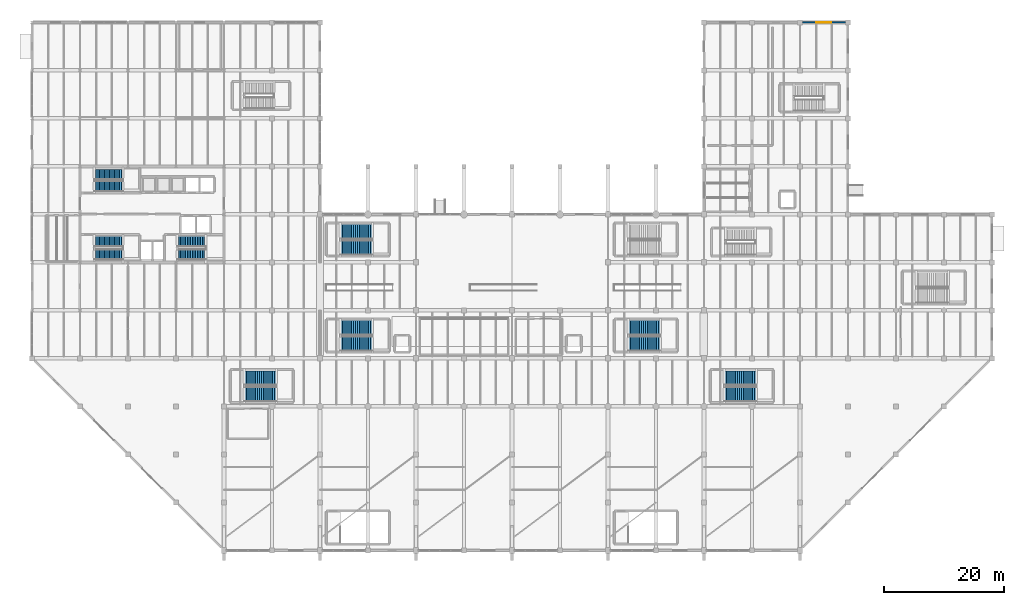
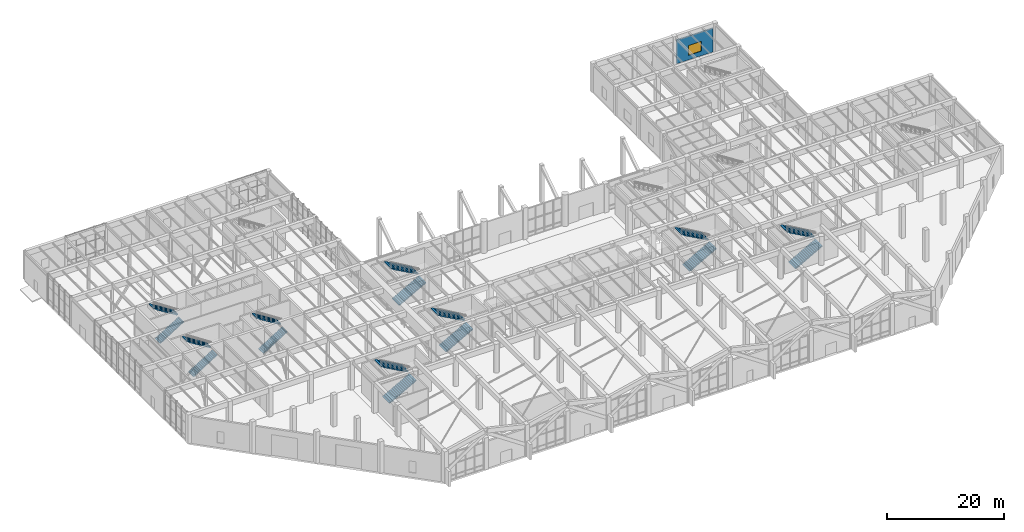
# One storey, part 41 of 51: 16 stair flights, 1 wall, 1 window, 1 opening, 8 elements without a shape of their own.
"""IFC4 building model written with IfcOpenShell, lengths in metres."""

from ifc_helpers import new_model, si_unit, direction, frame, frame_2d, origin, place, context, subcontext, project, spatial, polyline, rectangle, outline, extrude, material, layer, layer_set, type_object, element, fill, aggregate, save


model = new_model("IFC4")

# Units and contexts
model_context = context("Model", 3, precision=1e-05, world=origin(), true_north=direction((0.0, 1.0)))
body_context = subcontext(model_context, "Body", "Model", "MODEL_VIEW")
ifc_project = project(units=[si_unit("LENGTHUNIT", "METRE"), si_unit("AREAUNIT", "SQUARE_METRE"), si_unit("VOLUMEUNIT", "CUBIC_METRE"), si_unit("PLANEANGLEUNIT", "RADIAN"), si_unit("MASSUNIT", "GRAM", prefix="KILO")], contexts=[model_context])

# Site, building, storey
site_placement = place(None, origin())
site = spatial("IfcSite", under=ifc_project, at=site_placement, CompositionType="ELEMENT")
building_placement = place(site_placement, origin())
building = spatial("IfcBuilding", under=site, at=building_placement, Name="Varnela Railside Interchange", CompositionType="ELEMENT")
storey_placement = place(building_placement, origin())
storey = spatial("IfcBuildingStorey", under=building, at=storey_placement, Name="L00", CompositionType="ELEMENT", Elevation=0.0)

# Wall, opening, window
ifc_material_1 = material(Name="Concrete C40 precast", Category="concrete")
ifc_layer = layer(ifc_material_1, 0.260009765625)
ifc_layer_set = layer_set([ifc_layer], Name="Concrete C40 precast")
wall_type = type_object("IfcWallType", Name="Terracotta Precast Study Facade Wall EW-03", PredefinedType="STANDARD", material=ifc_layer_set)
wall_placement = place(storey_placement, frame((132.39990234375, 94.0, 0.0), z_axis=(0.0, 0.0, 1.0), x_axis=(1.0, 0.0, 0.0)))
wall = element("IfcWall", 1, at=wall_placement, inside=storey, type_object=wall_type, Name="Terracotta Precast Study Facade Wall EW-03 (L00) (WL-0361)", PredefinedType="STANDARD", context=body_context, shape_type="SweptSolid", body=[
    extrude(rectangle(XDim=7.2001953125, YDim=0.260009765625, at=frame_2d((3.60009765625, 0.0))), origin(), (0.0, 0.0, 1.0), 4.919921875),
])
opening_placement = place(wall_placement, frame((2.35009765625, 0.0, 0.949951171875)))
opening = element("IfcOpeningElement", 2, at=opening_placement, cuts=wall, Name="Opening W-012", PredefinedType="OPENING", context=body_context, shape_type="SweptSolid", body=[
    extrude(rectangle(XDim=2.5, YDim=2.050048828125, at=frame_2d((1.25, 1.02490234375))), frame((0.0, 0.139892578125, 0.0), z_axis=(0.0, -1.0, 0.0), x_axis=(1.0, 0.0, 0.0)), (0.0, 0.0, 1.0), 0.280029296875),
])
ifc_material_2 = material(Name="Glass laminated double", Category="glass")
window_type = type_object("IfcWindowType", Name="Community Room Bay Window WN-20", PartitioningType="SINGLE_PANEL", PredefinedType="WINDOW", material=ifc_material_2)
window_placement = place(opening_placement, origin())
window = element("IfcWindow", 3, at=window_placement, inside=storey, type_object=window_type, Name="Window W-012", OverallHeight=2.050048828125, OverallWidth=2.5, PartitioningType="SINGLE_PANEL", PredefinedType="WINDOW", context=body_context, shape_type="SweptSolid", body=[
    extrude(rectangle(XDim=2.5, YDim=2.050048828125, at=frame_2d((1.25, 1.02490234375))), frame((0.0, 0.030029296875, 0.0), z_axis=(0.0, -1.0, 0.0), x_axis=(1.0, 0.0, 0.0)), (0.0, 0.0, 1.0), 0.06005859375),
])
fill(opening, window)

# Stair, stair flights
ifc_material_3 = material(Name="Concrete C40", Category="concrete")
stair_type_1 = type_object("IfcStairType", Name="Core Pressurized Stair ST-165", PredefinedType="TWO_STRAIGHT_RUN_STAIR", material=ifc_material_3)
stair_1_placement = place(storey_placement, origin())
stair_1 = element("IfcStair", 4, at=stair_1_placement, inside=storey, type_object=stair_type_1, Name="Stair ST-T1 (L00) (SF-112)", PredefinedType="TWO_STRAIGHT_RUN_STAIR")
stair_flight_type_1 = type_object("IfcStairFlightType", Name="Concrete Stair Flight SF-165", PredefinedType="STRAIGHT", material=ifc_material_3)
stair_flight_1_placement = place(storey_placement, frame((14.39990234375, 55.324951171875, 0.0), z_axis=(0.0, 0.0, 1.0), x_axis=(1.0, 0.0, 0.0)))
stair_flight_1 = element("IfcStairFlight", 5, at=stair_flight_1_placement, type_object=stair_flight_type_1, Name="ST-T1 flight 1 (SF-113)", NumberOfRisers=18, NumberOfTreads=17, PredefinedType="STRAIGHT", RiserHeight=0.175, TreadLength=0.28, context=body_context, shape_type="SweptSolid", body=[
    extrude(outline(polyline([(0.0, 0.0), (0.0, 0.175048828125), (0.280029296875, 0.175048828125), (0.280029296875, 0.35009765625), (0.56005859375, 0.35009765625), (0.56005859375, 0.52490234375), (0.840087890625, 0.52490234375), (0.840087890625, 0.699951171875), (1.1201171875, 0.699951171875), (1.1201171875, 0.875), (1.39990234375, 0.875), (1.39990234375, 1.050048828125), (1.679931640625, 1.050048828125), (1.679931640625, 1.22509765625), (1.9599609375, 1.22509765625), (1.9599609375, 1.39990234375), (2.239990234375, 1.39990234375), (2.239990234375, 1.574951171875), (2.52001953125, 1.574951171875), (2.52001953125, 1.75), (2.800048828125, 1.75), (2.800048828125, 1.925048828125), (3.080078125, 1.925048828125), (3.080078125, 2.10009765625), (3.360107421875, 2.10009765625), (3.360107421875, 2.27490234375), (3.639892578125, 2.27490234375), (3.639892578125, 2.449951171875), (3.919921875, 2.449951171875), (3.919921875, 2.625), (4.199951171875, 2.625), (4.199951171875, 2.800048828125), (4.47998046875, 2.800048828125), (4.47998046875, 2.97509765625), (4.760009765625, 2.97509765625), (4.760009765625, 3.14990234375), (4.760009765625, 2.786376953125), (0.3017578125, 0.0), (0.0, 0.0)])), frame((0.0, 0.824951171875, 0.0), z_axis=(0.0, -1.0, 0.0), x_axis=(1.0, 0.0, 0.0)), (0.0, 0.0, 1.0), 1.64990234375),
])
stair_flight_2_placement = place(storey_placement, frame((19.159912109375, 57.47509765625, 3.14990234375), z_axis=(0.0, 0.0, 1.0), x_axis=(-1.0, 0.0, 0.0)))
stair_flight_2 = element("IfcStairFlight", 6, at=stair_flight_2_placement, type_object=stair_flight_type_1, Name="ST-T1 flight 2 (SF-114)", NumberOfRisers=18, NumberOfTreads=17, PredefinedType="STRAIGHT", RiserHeight=0.175, TreadLength=0.28, context=body_context, shape_type="SweptSolid", body=[
    extrude(outline(polyline([(0.0, 0.0), (0.0, 0.175048828125), (0.280029296875, 0.175048828125), (0.280029296875, 0.35009765625), (0.56005859375, 0.35009765625), (0.56005859375, 0.52490234375), (0.840087890625, 0.52490234375), (0.840087890625, 0.699951171875), (1.1201171875, 0.699951171875), (1.1201171875, 0.875), (1.39990234375, 0.875), (1.39990234375, 1.050048828125), (1.679931640625, 1.050048828125), (1.679931640625, 1.22509765625), (1.9599609375, 1.22509765625), (1.9599609375, 1.39990234375), (2.239990234375, 1.39990234375), (2.239990234375, 1.574951171875), (2.52001953125, 1.574951171875), (2.52001953125, 1.75), (2.800048828125, 1.75), (2.800048828125, 1.925048828125), (3.080078125, 1.925048828125), (3.080078125, 2.10009765625), (3.360107421875, 2.10009765625), (3.360107421875, 2.27490234375), (3.639892578125, 2.27490234375), (3.639892578125, 2.449951171875), (3.919921875, 2.449951171875), (3.919921875, 2.625), (4.199951171875, 2.625), (4.199951171875, 2.800048828125), (4.47998046875, 2.800048828125), (4.47998046875, 2.97509765625), (4.760009765625, 2.97509765625), (4.760009765625, 3.14990234375), (4.760009765625, 2.786376953125), (0.3017578125, 0.0), (0.0, 0.0)])), frame((0.0, 0.824951171875, 0.0), z_axis=(0.0, -1.0, 0.0), x_axis=(1.0, 0.0, 0.0)), (0.0, 0.0, 1.0), 1.64990234375),
])
aggregate(stair_1, [stair_flight_1, stair_flight_2])

stair_2_placement = place(storey_placement, origin())
stair_2 = element("IfcStair", 7, at=stair_2_placement, inside=storey, type_object=stair_type_1, Name="Stair ST-T2 (L00) (SF-115)", PredefinedType="TWO_STRAIGHT_RUN_STAIR")
stair_flight_3_placement = place(storey_placement, frame((28.199951171875, 55.324951171875, 0.0), z_axis=(0.0, 0.0, 1.0), x_axis=(1.0, 0.0, 0.0)))
stair_flight_3 = element("IfcStairFlight", 8, at=stair_flight_3_placement, type_object=stair_flight_type_1, Name="ST-T2 flight 1 (SF-116)", NumberOfRisers=18, NumberOfTreads=17, PredefinedType="STRAIGHT", RiserHeight=0.175, TreadLength=0.28, context=body_context, shape_type="SweptSolid", body=[
    extrude(outline(polyline([(0.0, 0.0), (0.0, 0.175048828125), (0.280029296875, 0.175048828125), (0.280029296875, 0.35009765625), (0.56005859375, 0.35009765625), (0.56005859375, 0.52490234375), (0.840087890625, 0.52490234375), (0.840087890625, 0.699951171875), (1.1201171875, 0.699951171875), (1.1201171875, 0.875), (1.39990234375, 0.875), (1.39990234375, 1.050048828125), (1.679931640625, 1.050048828125), (1.679931640625, 1.22509765625), (1.9599609375, 1.22509765625), (1.9599609375, 1.39990234375), (2.239990234375, 1.39990234375), (2.239990234375, 1.574951171875), (2.52001953125, 1.574951171875), (2.52001953125, 1.75), (2.800048828125, 1.75), (2.800048828125, 1.925048828125), (3.080078125, 1.925048828125), (3.080078125, 2.10009765625), (3.360107421875, 2.10009765625), (3.360107421875, 2.27490234375), (3.639892578125, 2.27490234375), (3.639892578125, 2.449951171875), (3.919921875, 2.449951171875), (3.919921875, 2.625), (4.199951171875, 2.625), (4.199951171875, 2.800048828125), (4.47998046875, 2.800048828125), (4.47998046875, 2.97509765625), (4.760009765625, 2.97509765625), (4.760009765625, 3.14990234375), (4.760009765625, 2.786376953125), (0.3017578125, 0.0), (0.0, 0.0)])), frame((0.0, 0.824951171875, 0.0), z_axis=(0.0, -1.0, 0.0), x_axis=(1.0, 0.0, 0.0)), (0.0, 0.0, 1.0), 1.64990234375),
])
stair_flight_4_placement = place(storey_placement, frame((32.9599609375, 57.47509765625, 3.14990234375), z_axis=(0.0, 0.0, 1.0), x_axis=(-1.0, 0.0, 0.0)))
stair_flight_4 = element("IfcStairFlight", 9, at=stair_flight_4_placement, type_object=stair_flight_type_1, Name="ST-T2 flight 2 (SF-117)", NumberOfRisers=18, NumberOfTreads=17, PredefinedType="STRAIGHT", RiserHeight=0.175, TreadLength=0.28, context=body_context, shape_type="SweptSolid", body=[
    extrude(outline(polyline([(0.0, 0.0), (0.0, 0.175048828125), (0.280029296875, 0.175048828125), (0.280029296875, 0.35009765625), (0.56005859375, 0.35009765625), (0.56005859375, 0.52490234375), (0.840087890625, 0.52490234375), (0.840087890625, 0.699951171875), (1.1201171875, 0.699951171875), (1.1201171875, 0.875), (1.39990234375, 0.875), (1.39990234375, 1.050048828125), (1.679931640625, 1.050048828125), (1.679931640625, 1.22509765625), (1.9599609375, 1.22509765625), (1.9599609375, 1.39990234375), (2.239990234375, 1.39990234375), (2.239990234375, 1.574951171875), (2.52001953125, 1.574951171875), (2.52001953125, 1.75), (2.800048828125, 1.75), (2.800048828125, 1.925048828125), (3.080078125, 1.925048828125), (3.080078125, 2.10009765625), (3.360107421875, 2.10009765625), (3.360107421875, 2.27490234375), (3.639892578125, 2.27490234375), (3.639892578125, 2.449951171875), (3.919921875, 2.449951171875), (3.919921875, 2.625), (4.199951171875, 2.625), (4.199951171875, 2.800048828125), (4.47998046875, 2.800048828125), (4.47998046875, 2.97509765625), (4.760009765625, 2.97509765625), (4.760009765625, 3.14990234375), (4.760009765625, 2.786376953125), (0.3017578125, 0.0), (0.0, 0.0)])), frame((0.0, 0.824951171875, 0.0), z_axis=(0.0, -1.0, 0.0), x_axis=(1.0, 0.0, 0.0)), (0.0, 0.0, 1.0), 1.64990234375),
])
aggregate(stair_2, [stair_flight_3, stair_flight_4])

stair_3_placement = place(storey_placement, origin())
stair_3 = element("IfcStair", 10, at=stair_3_placement, inside=storey, type_object=stair_type_1, Name="Stair ST-T3 (L00) (SF-118)", PredefinedType="TWO_STRAIGHT_RUN_STAIR")
stair_flight_5_placement = place(storey_placement, frame((14.39990234375, 66.72509765625, 0.0), z_axis=(0.0, 0.0, 1.0), x_axis=(1.0, 0.0, 0.0)))
stair_flight_5 = element("IfcStairFlight", 11, at=stair_flight_5_placement, type_object=stair_flight_type_1, Name="ST-T3 flight 1 (SF-119)", NumberOfRisers=18, NumberOfTreads=17, PredefinedType="STRAIGHT", RiserHeight=0.175, TreadLength=0.28, context=body_context, shape_type="SweptSolid", body=[
    extrude(outline(polyline([(0.0, 0.0), (0.0, 0.175048828125), (0.280029296875, 0.175048828125), (0.280029296875, 0.35009765625), (0.56005859375, 0.35009765625), (0.56005859375, 0.52490234375), (0.840087890625, 0.52490234375), (0.840087890625, 0.699951171875), (1.1201171875, 0.699951171875), (1.1201171875, 0.875), (1.39990234375, 0.875), (1.39990234375, 1.050048828125), (1.679931640625, 1.050048828125), (1.679931640625, 1.22509765625), (1.9599609375, 1.22509765625), (1.9599609375, 1.39990234375), (2.239990234375, 1.39990234375), (2.239990234375, 1.574951171875), (2.52001953125, 1.574951171875), (2.52001953125, 1.75), (2.800048828125, 1.75), (2.800048828125, 1.925048828125), (3.080078125, 1.925048828125), (3.080078125, 2.10009765625), (3.360107421875, 2.10009765625), (3.360107421875, 2.27490234375), (3.639892578125, 2.27490234375), (3.639892578125, 2.449951171875), (3.919921875, 2.449951171875), (3.919921875, 2.625), (4.199951171875, 2.625), (4.199951171875, 2.800048828125), (4.47998046875, 2.800048828125), (4.47998046875, 2.97509765625), (4.760009765625, 2.97509765625), (4.760009765625, 3.14990234375), (4.760009765625, 2.786376953125), (0.3017578125, 0.0), (0.0, 0.0)])), frame((0.0, 0.824951171875, 0.0), z_axis=(0.0, -1.0, 0.0), x_axis=(1.0, 0.0, 0.0)), (0.0, 0.0, 1.0), 1.64990234375),
])
stair_flight_6_placement = place(storey_placement, frame((19.159912109375, 68.675048828125, 3.14990234375), z_axis=(0.0, 0.0, 1.0), x_axis=(-1.0, 0.0, 0.0)))
stair_flight_6 = element("IfcStairFlight", 12, at=stair_flight_6_placement, type_object=stair_flight_type_1, Name="ST-T3 flight 2 (SF-120)", NumberOfRisers=18, NumberOfTreads=17, PredefinedType="STRAIGHT", RiserHeight=0.175, TreadLength=0.28, context=body_context, shape_type="SweptSolid", body=[
    extrude(outline(polyline([(0.0, 0.0), (0.0, 0.175048828125), (0.280029296875, 0.175048828125), (0.280029296875, 0.35009765625), (0.56005859375, 0.35009765625), (0.56005859375, 0.52490234375), (0.840087890625, 0.52490234375), (0.840087890625, 0.699951171875), (1.1201171875, 0.699951171875), (1.1201171875, 0.875), (1.39990234375, 0.875), (1.39990234375, 1.050048828125), (1.679931640625, 1.050048828125), (1.679931640625, 1.22509765625), (1.9599609375, 1.22509765625), (1.9599609375, 1.39990234375), (2.239990234375, 1.39990234375), (2.239990234375, 1.574951171875), (2.52001953125, 1.574951171875), (2.52001953125, 1.75), (2.800048828125, 1.75), (2.800048828125, 1.925048828125), (3.080078125, 1.925048828125), (3.080078125, 2.10009765625), (3.360107421875, 2.10009765625), (3.360107421875, 2.27490234375), (3.639892578125, 2.27490234375), (3.639892578125, 2.449951171875), (3.919921875, 2.449951171875), (3.919921875, 2.625), (4.199951171875, 2.625), (4.199951171875, 2.800048828125), (4.47998046875, 2.800048828125), (4.47998046875, 2.97509765625), (4.760009765625, 2.97509765625), (4.760009765625, 3.14990234375), (4.760009765625, 2.786376953125), (0.3017578125, 0.0), (0.0, 0.0)])), frame((0.0, 0.824951171875, 0.0), z_axis=(0.0, -1.0, 0.0), x_axis=(1.0, 0.0, 0.0)), (0.0, 0.0, 1.0), 1.64990234375),
])
aggregate(stair_3, [stair_flight_5, stair_flight_6])

stair_type_2 = type_object("IfcStairType", Name="Concourse Public Stair ST-235", PredefinedType="TWO_STRAIGHT_RUN_STAIR", material=ifc_material_3)
stair_4_placement = place(storey_placement, origin())
stair_4 = element("IfcStair", 13, at=stair_4_placement, inside=storey, type_object=stair_type_2, Name="Stair ST-C1 (L00) (SF-085)", PredefinedType="TWO_STRAIGHT_RUN_STAIR")
stair_flight_type_2 = type_object("IfcStairFlightType", Name="Concrete Stair Flight SF-235", PredefinedType="STRAIGHT", material=ifc_material_3)
stair_flight_7_placement = place(storey_placement, frame((55.39990234375, 40.47509765625, 0.0), z_axis=(0.0, 0.0, 1.0), x_axis=(1.0, 0.0, 0.0)))
stair_flight_7 = element("IfcStairFlight", 14, at=stair_flight_7_placement, type_object=stair_flight_type_2, Name="ST-C1 flight 1 (SF-086)", NumberOfRisers=18, NumberOfTreads=17, PredefinedType="STRAIGHT", RiserHeight=0.175, TreadLength=0.315, context=body_context, shape_type="SweptSolid", body=[
    extrude(outline(polyline([(0.0, 0.0), (0.0, 0.175048828125), (0.31494140625, 0.175048828125), (0.31494140625, 0.35009765625), (0.6298828125, 0.35009765625), (0.6298828125, 0.52490234375), (0.945068359375, 0.52490234375), (0.945068359375, 0.699951171875), (1.260009765625, 0.699951171875), (1.260009765625, 0.875), (1.574951171875, 0.875), (1.574951171875, 1.050048828125), (1.889892578125, 1.050048828125), (1.889892578125, 1.22509765625), (2.205078125, 1.22509765625), (2.205078125, 1.39990234375), (2.52001953125, 1.39990234375), (2.52001953125, 1.574951171875), (2.8349609375, 1.574951171875), (2.8349609375, 1.75), (3.14990234375, 1.75), (3.14990234375, 1.925048828125), (3.465087890625, 1.925048828125), (3.465087890625, 2.10009765625), (3.780029296875, 2.10009765625), (3.780029296875, 2.27490234375), (4.094970703125, 2.27490234375), (4.094970703125, 2.449951171875), (4.409912109375, 2.449951171875), (4.409912109375, 2.625), (4.72509765625, 2.625), (4.72509765625, 2.800048828125), (5.0400390625, 2.800048828125), (5.0400390625, 2.97509765625), (5.35498046875, 2.97509765625), (5.35498046875, 3.14990234375), (5.35498046875, 2.7919921875), (0.329345703125, 0.0), (0.0, 0.0)])), frame((0.0, 1.175048828125, 0.0), z_axis=(0.0, -1.0, 0.0), x_axis=(1.0, 0.0, 0.0)), (0.0, 0.0, 1.0), 2.35009765625),
])
stair_flight_8_placement = place(storey_placement, frame((60.7548828125, 43.125, 3.14990234375), z_axis=(0.0, 0.0, 1.0), x_axis=(-1.0, 0.0, 0.0)))
stair_flight_8 = element("IfcStairFlight", 15, at=stair_flight_8_placement, type_object=stair_flight_type_2, Name="ST-C1 flight 2 (SF-087)", NumberOfRisers=18, NumberOfTreads=17, PredefinedType="STRAIGHT", RiserHeight=0.175, TreadLength=0.315, context=body_context, shape_type="SweptSolid", body=[
    extrude(outline(polyline([(0.0, 0.0), (0.0, 0.175048828125), (0.31494140625, 0.175048828125), (0.31494140625, 0.35009765625), (0.6298828125, 0.35009765625), (0.6298828125, 0.52490234375), (0.945068359375, 0.52490234375), (0.945068359375, 0.699951171875), (1.260009765625, 0.699951171875), (1.260009765625, 0.875), (1.574951171875, 0.875), (1.574951171875, 1.050048828125), (1.889892578125, 1.050048828125), (1.889892578125, 1.22509765625), (2.205078125, 1.22509765625), (2.205078125, 1.39990234375), (2.52001953125, 1.39990234375), (2.52001953125, 1.574951171875), (2.8349609375, 1.574951171875), (2.8349609375, 1.75), (3.14990234375, 1.75), (3.14990234375, 1.925048828125), (3.465087890625, 1.925048828125), (3.465087890625, 2.10009765625), (3.780029296875, 2.10009765625), (3.780029296875, 2.27490234375), (4.094970703125, 2.27490234375), (4.094970703125, 2.449951171875), (4.409912109375, 2.449951171875), (4.409912109375, 2.625), (4.72509765625, 2.625), (4.72509765625, 2.800048828125), (5.0400390625, 2.800048828125), (5.0400390625, 2.97509765625), (5.35498046875, 2.97509765625), (5.35498046875, 3.14990234375), (5.35498046875, 2.7919921875), (0.329345703125, 0.0), (0.0, 0.0)])), frame((0.0, 1.175048828125, 0.0), z_axis=(0.0, -1.0, 0.0), x_axis=(1.0, 0.0, 0.0)), (0.0, 0.0, 1.0), 2.35009765625),
])
aggregate(stair_4, [stair_flight_7, stair_flight_8])

stair_5_placement = place(storey_placement, origin())
stair_5 = element("IfcStair", 16, at=stair_5_placement, inside=storey, type_object=stair_type_2, Name="Stair ST-C2 (L00) (SF-088)", PredefinedType="TWO_STRAIGHT_RUN_STAIR")
stair_flight_9_placement = place(storey_placement, frame((103.39990234375, 40.47509765625, 0.0), z_axis=(0.0, 0.0, 1.0), x_axis=(1.0, 0.0, 0.0)))
stair_flight_9 = element("IfcStairFlight", 17, at=stair_flight_9_placement, type_object=stair_flight_type_2, Name="ST-C2 flight 1 (SF-089)", NumberOfRisers=18, NumberOfTreads=17, PredefinedType="STRAIGHT", RiserHeight=0.175, TreadLength=0.315, context=body_context, shape_type="SweptSolid", body=[
    extrude(outline(polyline([(0.0, 0.0), (0.0, 0.175048828125), (0.31494140625, 0.175048828125), (0.31494140625, 0.35009765625), (0.6298828125, 0.35009765625), (0.6298828125, 0.52490234375), (0.945068359375, 0.52490234375), (0.945068359375, 0.699951171875), (1.260009765625, 0.699951171875), (1.260009765625, 0.875), (1.574951171875, 0.875), (1.574951171875, 1.050048828125), (1.889892578125, 1.050048828125), (1.889892578125, 1.22509765625), (2.205078125, 1.22509765625), (2.205078125, 1.39990234375), (2.52001953125, 1.39990234375), (2.52001953125, 1.574951171875), (2.8349609375, 1.574951171875), (2.8349609375, 1.75), (3.14990234375, 1.75), (3.14990234375, 1.925048828125), (3.465087890625, 1.925048828125), (3.465087890625, 2.10009765625), (3.780029296875, 2.10009765625), (3.780029296875, 2.27490234375), (4.094970703125, 2.27490234375), (4.094970703125, 2.449951171875), (4.409912109375, 2.449951171875), (4.409912109375, 2.625), (4.72509765625, 2.625), (4.72509765625, 2.800048828125), (5.0400390625, 2.800048828125), (5.0400390625, 2.97509765625), (5.35498046875, 2.97509765625), (5.35498046875, 3.14990234375), (5.35498046875, 2.7919921875), (0.329345703125, 0.0), (0.0, 0.0)])), frame((0.0, 1.175048828125, 0.0), z_axis=(0.0, -1.0, 0.0), x_axis=(1.0, 0.0, 0.0)), (0.0, 0.0, 1.0), 2.35009765625),
])
stair_flight_10_placement = place(storey_placement, frame((108.7548828125, 43.125, 3.14990234375), z_axis=(0.0, 0.0, 1.0), x_axis=(-1.0, 0.0, 0.0)))
stair_flight_10 = element("IfcStairFlight", 18, at=stair_flight_10_placement, type_object=stair_flight_type_2, Name="ST-C2 flight 2 (SF-090)", NumberOfRisers=18, NumberOfTreads=17, PredefinedType="STRAIGHT", RiserHeight=0.175, TreadLength=0.315, context=body_context, shape_type="SweptSolid", body=[
    extrude(outline(polyline([(0.0, 0.0), (0.0, 0.175048828125), (0.31494140625, 0.175048828125), (0.31494140625, 0.35009765625), (0.6298828125, 0.35009765625), (0.6298828125, 0.52490234375), (0.945068359375, 0.52490234375), (0.945068359375, 0.699951171875), (1.260009765625, 0.699951171875), (1.260009765625, 0.875), (1.574951171875, 0.875), (1.574951171875, 1.050048828125), (1.889892578125, 1.050048828125), (1.889892578125, 1.22509765625), (2.205078125, 1.22509765625), (2.205078125, 1.39990234375), (2.52001953125, 1.39990234375), (2.52001953125, 1.574951171875), (2.8349609375, 1.574951171875), (2.8349609375, 1.75), (3.14990234375, 1.75), (3.14990234375, 1.925048828125), (3.465087890625, 1.925048828125), (3.465087890625, 2.10009765625), (3.780029296875, 2.10009765625), (3.780029296875, 2.27490234375), (4.094970703125, 2.27490234375), (4.094970703125, 2.449951171875), (4.409912109375, 2.449951171875), (4.409912109375, 2.625), (4.72509765625, 2.625), (4.72509765625, 2.800048828125), (5.0400390625, 2.800048828125), (5.0400390625, 2.97509765625), (5.35498046875, 2.97509765625), (5.35498046875, 3.14990234375), (5.35498046875, 2.7919921875), (0.329345703125, 0.0), (0.0, 0.0)])), frame((0.0, 1.175048828125, 0.0), z_axis=(0.0, -1.0, 0.0), x_axis=(1.0, 0.0, 0.0)), (0.0, 0.0, 1.0), 2.35009765625),
])
aggregate(stair_5, [stair_flight_9, stair_flight_10])

stair_6_placement = place(storey_placement, origin())
stair_6 = element("IfcStair", 19, at=stair_6_placement, inside=storey, type_object=stair_type_2, Name="Stair ST-C3 (L00) (SF-091)", PredefinedType="TWO_STRAIGHT_RUN_STAIR")
stair_flight_11_placement = place(storey_placement, frame((55.39990234375, 56.47509765625, 0.0), z_axis=(0.0, 0.0, 1.0), x_axis=(1.0, 0.0, 0.0)))
stair_flight_11 = element("IfcStairFlight", 20, at=stair_flight_11_placement, type_object=stair_flight_type_2, Name="ST-C3 flight 1 (SF-092)", NumberOfRisers=18, NumberOfTreads=17, PredefinedType="STRAIGHT", RiserHeight=0.175, TreadLength=0.315, context=body_context, shape_type="SweptSolid", body=[
    extrude(outline(polyline([(0.0, 0.0), (0.0, 0.175048828125), (0.31494140625, 0.175048828125), (0.31494140625, 0.35009765625), (0.6298828125, 0.35009765625), (0.6298828125, 0.52490234375), (0.945068359375, 0.52490234375), (0.945068359375, 0.699951171875), (1.260009765625, 0.699951171875), (1.260009765625, 0.875), (1.574951171875, 0.875), (1.574951171875, 1.050048828125), (1.889892578125, 1.050048828125), (1.889892578125, 1.22509765625), (2.205078125, 1.22509765625), (2.205078125, 1.39990234375), (2.52001953125, 1.39990234375), (2.52001953125, 1.574951171875), (2.8349609375, 1.574951171875), (2.8349609375, 1.75), (3.14990234375, 1.75), (3.14990234375, 1.925048828125), (3.465087890625, 1.925048828125), (3.465087890625, 2.10009765625), (3.780029296875, 2.10009765625), (3.780029296875, 2.27490234375), (4.094970703125, 2.27490234375), (4.094970703125, 2.449951171875), (4.409912109375, 2.449951171875), (4.409912109375, 2.625), (4.72509765625, 2.625), (4.72509765625, 2.800048828125), (5.0400390625, 2.800048828125), (5.0400390625, 2.97509765625), (5.35498046875, 2.97509765625), (5.35498046875, 3.14990234375), (5.35498046875, 2.7919921875), (0.329345703125, 0.0), (0.0, 0.0)])), frame((0.0, 1.175048828125, 0.0), z_axis=(0.0, -1.0, 0.0), x_axis=(1.0, 0.0, 0.0)), (0.0, 0.0, 1.0), 2.35009765625),
])
stair_flight_12_placement = place(storey_placement, frame((60.7548828125, 59.125, 3.14990234375), z_axis=(0.0, 0.0, 1.0), x_axis=(-1.0, 0.0, 0.0)))
stair_flight_12 = element("IfcStairFlight", 21, at=stair_flight_12_placement, type_object=stair_flight_type_2, Name="ST-C3 flight 2 (SF-093)", NumberOfRisers=18, NumberOfTreads=17, PredefinedType="STRAIGHT", RiserHeight=0.175, TreadLength=0.315, context=body_context, shape_type="SweptSolid", body=[
    extrude(outline(polyline([(0.0, 0.0), (0.0, 0.175048828125), (0.31494140625, 0.175048828125), (0.31494140625, 0.35009765625), (0.6298828125, 0.35009765625), (0.6298828125, 0.52490234375), (0.945068359375, 0.52490234375), (0.945068359375, 0.699951171875), (1.260009765625, 0.699951171875), (1.260009765625, 0.875), (1.574951171875, 0.875), (1.574951171875, 1.050048828125), (1.889892578125, 1.050048828125), (1.889892578125, 1.22509765625), (2.205078125, 1.22509765625), (2.205078125, 1.39990234375), (2.52001953125, 1.39990234375), (2.52001953125, 1.574951171875), (2.8349609375, 1.574951171875), (2.8349609375, 1.75), (3.14990234375, 1.75), (3.14990234375, 1.925048828125), (3.465087890625, 1.925048828125), (3.465087890625, 2.10009765625), (3.780029296875, 2.10009765625), (3.780029296875, 2.27490234375), (4.094970703125, 2.27490234375), (4.094970703125, 2.449951171875), (4.409912109375, 2.449951171875), (4.409912109375, 2.625), (4.72509765625, 2.625), (4.72509765625, 2.800048828125), (5.0400390625, 2.800048828125), (5.0400390625, 2.97509765625), (5.35498046875, 2.97509765625), (5.35498046875, 3.14990234375), (5.35498046875, 2.7919921875), (0.329345703125, 0.0), (0.0, 0.0)])), frame((0.0, 1.175048828125, 0.0), z_axis=(0.0, -1.0, 0.0), x_axis=(1.0, 0.0, 0.0)), (0.0, 0.0, 1.0), 2.35009765625),
])
aggregate(stair_6, [stair_flight_11, stair_flight_12])

stair_7_placement = place(storey_placement, origin())
stair_7 = element("IfcStair", 22, at=stair_7_placement, inside=storey, type_object=stair_type_2, Name="Stair ST-M1 (L00) (SF-106)", PredefinedType="TWO_STRAIGHT_RUN_STAIR")
stair_flight_13_placement = place(storey_placement, frame((39.39990234375, 32.074951171875, 0.0), z_axis=(0.0, 0.0, 1.0), x_axis=(1.0, 0.0, 0.0)))
stair_flight_13 = element("IfcStairFlight", 23, at=stair_flight_13_placement, type_object=stair_flight_type_2, Name="ST-M1 flight 1 (SF-107)", NumberOfRisers=18, NumberOfTreads=17, PredefinedType="STRAIGHT", RiserHeight=0.175, TreadLength=0.315, context=body_context, shape_type="SweptSolid", body=[
    extrude(outline(polyline([(0.0, 0.0), (0.0, 0.175048828125), (0.31494140625, 0.175048828125), (0.31494140625, 0.35009765625), (0.6298828125, 0.35009765625), (0.6298828125, 0.52490234375), (0.945068359375, 0.52490234375), (0.945068359375, 0.699951171875), (1.260009765625, 0.699951171875), (1.260009765625, 0.875), (1.574951171875, 0.875), (1.574951171875, 1.050048828125), (1.889892578125, 1.050048828125), (1.889892578125, 1.22509765625), (2.205078125, 1.22509765625), (2.205078125, 1.39990234375), (2.52001953125, 1.39990234375), (2.52001953125, 1.574951171875), (2.8349609375, 1.574951171875), (2.8349609375, 1.75), (3.14990234375, 1.75), (3.14990234375, 1.925048828125), (3.465087890625, 1.925048828125), (3.465087890625, 2.10009765625), (3.780029296875, 2.10009765625), (3.780029296875, 2.27490234375), (4.094970703125, 2.27490234375), (4.094970703125, 2.449951171875), (4.409912109375, 2.449951171875), (4.409912109375, 2.625), (4.72509765625, 2.625), (4.72509765625, 2.800048828125), (5.0400390625, 2.800048828125), (5.0400390625, 2.97509765625), (5.35498046875, 2.97509765625), (5.35498046875, 3.14990234375), (5.35498046875, 2.7919921875), (0.329345703125, 0.0), (0.0, 0.0)])), frame((0.0, 1.175048828125, 0.0), z_axis=(0.0, -1.0, 0.0), x_axis=(1.0, 0.0, 0.0)), (0.0, 0.0, 1.0), 2.35009765625),
])
stair_flight_14_placement = place(storey_placement, frame((44.7548828125, 34.72509765625, 3.14990234375), z_axis=(0.0, 0.0, 1.0), x_axis=(-1.0, 0.0, 0.0)))
stair_flight_14 = element("IfcStairFlight", 24, at=stair_flight_14_placement, type_object=stair_flight_type_2, Name="ST-M1 flight 2 (SF-108)", NumberOfRisers=18, NumberOfTreads=17, PredefinedType="STRAIGHT", RiserHeight=0.175, TreadLength=0.315, context=body_context, shape_type="SweptSolid", body=[
    extrude(outline(polyline([(0.0, 0.0), (0.0, 0.175048828125), (0.31494140625, 0.175048828125), (0.31494140625, 0.35009765625), (0.6298828125, 0.35009765625), (0.6298828125, 0.52490234375), (0.945068359375, 0.52490234375), (0.945068359375, 0.699951171875), (1.260009765625, 0.699951171875), (1.260009765625, 0.875), (1.574951171875, 0.875), (1.574951171875, 1.050048828125), (1.889892578125, 1.050048828125), (1.889892578125, 1.22509765625), (2.205078125, 1.22509765625), (2.205078125, 1.39990234375), (2.52001953125, 1.39990234375), (2.52001953125, 1.574951171875), (2.8349609375, 1.574951171875), (2.8349609375, 1.75), (3.14990234375, 1.75), (3.14990234375, 1.925048828125), (3.465087890625, 1.925048828125), (3.465087890625, 2.10009765625), (3.780029296875, 2.10009765625), (3.780029296875, 2.27490234375), (4.094970703125, 2.27490234375), (4.094970703125, 2.449951171875), (4.409912109375, 2.449951171875), (4.409912109375, 2.625), (4.72509765625, 2.625), (4.72509765625, 2.800048828125), (5.0400390625, 2.800048828125), (5.0400390625, 2.97509765625), (5.35498046875, 2.97509765625), (5.35498046875, 3.14990234375), (5.35498046875, 2.7919921875), (0.329345703125, 0.0), (0.0, 0.0)])), frame((0.0, 1.175048828125, 0.0), z_axis=(0.0, -1.0, 0.0), x_axis=(1.0, 0.0, 0.0)), (0.0, 0.0, 1.0), 2.35009765625),
])
aggregate(stair_7, [stair_flight_13, stair_flight_14])

stair_8_placement = place(storey_placement, origin())
stair_8 = element("IfcStair", 25, at=stair_8_placement, inside=storey, type_object=stair_type_2, Name="Stair ST-M2 (L00) (SF-109)", PredefinedType="TWO_STRAIGHT_RUN_STAIR")
stair_flight_15_placement = place(storey_placement, frame((119.39990234375, 32.074951171875, 0.0), z_axis=(0.0, 0.0, 1.0), x_axis=(1.0, 0.0, 0.0)))
stair_flight_15 = element("IfcStairFlight", 26, at=stair_flight_15_placement, type_object=stair_flight_type_2, Name="ST-M2 flight 1 (SF-110)", NumberOfRisers=18, NumberOfTreads=17, PredefinedType="STRAIGHT", RiserHeight=0.175, TreadLength=0.315, context=body_context, shape_type="SweptSolid", body=[
    extrude(outline(polyline([(0.0, 0.0), (0.0, 0.175048828125), (0.31494140625, 0.175048828125), (0.31494140625, 0.35009765625), (0.6298828125, 0.35009765625), (0.6298828125, 0.52490234375), (0.945068359375, 0.52490234375), (0.945068359375, 0.699951171875), (1.260009765625, 0.699951171875), (1.260009765625, 0.875), (1.574951171875, 0.875), (1.574951171875, 1.050048828125), (1.889892578125, 1.050048828125), (1.889892578125, 1.22509765625), (2.205078125, 1.22509765625), (2.205078125, 1.39990234375), (2.52001953125, 1.39990234375), (2.52001953125, 1.574951171875), (2.8349609375, 1.574951171875), (2.8349609375, 1.75), (3.14990234375, 1.75), (3.14990234375, 1.925048828125), (3.465087890625, 1.925048828125), (3.465087890625, 2.10009765625), (3.780029296875, 2.10009765625), (3.780029296875, 2.27490234375), (4.094970703125, 2.27490234375), (4.094970703125, 2.449951171875), (4.409912109375, 2.449951171875), (4.409912109375, 2.625), (4.72509765625, 2.625), (4.72509765625, 2.800048828125), (5.0400390625, 2.800048828125), (5.0400390625, 2.97509765625), (5.35498046875, 2.97509765625), (5.35498046875, 3.14990234375), (5.35498046875, 2.7919921875), (0.329345703125, 0.0), (0.0, 0.0)])), frame((0.0, 1.175048828125, 0.0), z_axis=(0.0, -1.0, 0.0), x_axis=(1.0, 0.0, 0.0)), (0.0, 0.0, 1.0), 2.35009765625),
])
stair_flight_16_placement = place(storey_placement, frame((124.7548828125, 34.72509765625, 3.14990234375), z_axis=(0.0, 0.0, 1.0), x_axis=(-1.0, 0.0, 0.0)))
stair_flight_16 = element("IfcStairFlight", 27, at=stair_flight_16_placement, type_object=stair_flight_type_2, Name="ST-M2 flight 2 (SF-111)", NumberOfRisers=18, NumberOfTreads=17, PredefinedType="STRAIGHT", RiserHeight=0.175, TreadLength=0.315, context=body_context, shape_type="SweptSolid", body=[
    extrude(outline(polyline([(0.0, 0.0), (0.0, 0.175048828125), (0.31494140625, 0.175048828125), (0.31494140625, 0.35009765625), (0.6298828125, 0.35009765625), (0.6298828125, 0.52490234375), (0.945068359375, 0.52490234375), (0.945068359375, 0.699951171875), (1.260009765625, 0.699951171875), (1.260009765625, 0.875), (1.574951171875, 0.875), (1.574951171875, 1.050048828125), (1.889892578125, 1.050048828125), (1.889892578125, 1.22509765625), (2.205078125, 1.22509765625), (2.205078125, 1.39990234375), (2.52001953125, 1.39990234375), (2.52001953125, 1.574951171875), (2.8349609375, 1.574951171875), (2.8349609375, 1.75), (3.14990234375, 1.75), (3.14990234375, 1.925048828125), (3.465087890625, 1.925048828125), (3.465087890625, 2.10009765625), (3.780029296875, 2.10009765625), (3.780029296875, 2.27490234375), (4.094970703125, 2.27490234375), (4.094970703125, 2.449951171875), (4.409912109375, 2.449951171875), (4.409912109375, 2.625), (4.72509765625, 2.625), (4.72509765625, 2.800048828125), (5.0400390625, 2.800048828125), (5.0400390625, 2.97509765625), (5.35498046875, 2.97509765625), (5.35498046875, 3.14990234375), (5.35498046875, 2.7919921875), (0.329345703125, 0.0), (0.0, 0.0)])), frame((0.0, 1.175048828125, 0.0), z_axis=(0.0, -1.0, 0.0), x_axis=(1.0, 0.0, 0.0)), (0.0, 0.0, 1.0), 2.35009765625),
])
aggregate(stair_8, [stair_flight_15, stair_flight_16])

save(model, "model.ifc")
